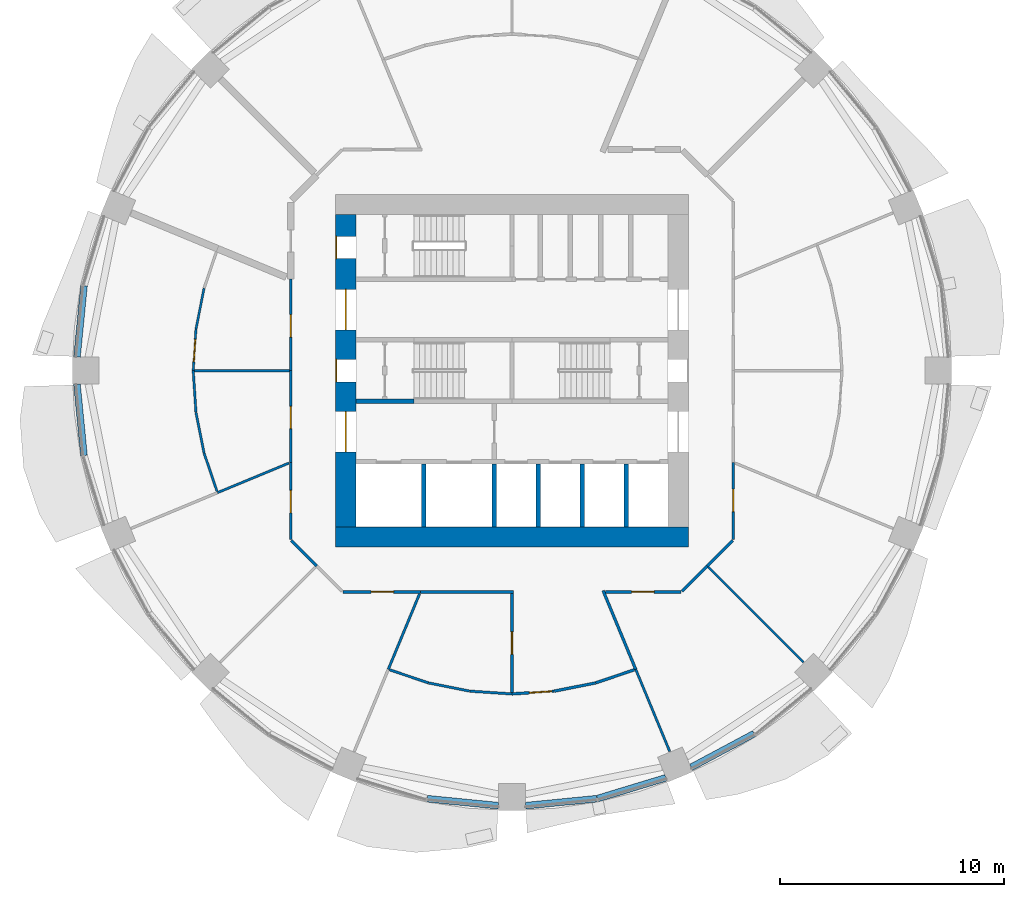
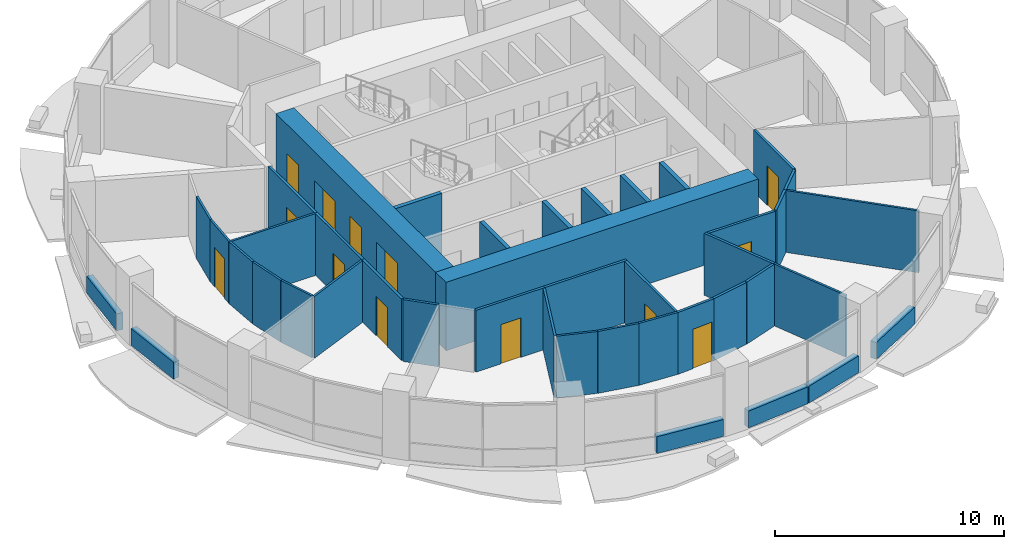
# One storey, part 8 of 15: 42 walls, 13 doors, 13 openings.
"""IFC4 building model written with IfcOpenShell, lengths in metres."""

from ifc_helpers import new_model, si_unit, direction, frame, frame_2d, origin, place, context, subcontext, project, spatial, rectangle, extrude, material, layer, layer_set, type_object, element, fill, save


model = new_model("IFC4")

# Units and contexts
model_context = context("Model", 3, precision=1e-05, world=origin(), true_north=direction((0.0, 1.0)))
body_context = subcontext(model_context, "Body", "Model", "MODEL_VIEW")
ifc_project = project(units=[si_unit("LENGTHUNIT", "METRE"), si_unit("AREAUNIT", "SQUARE_METRE"), si_unit("VOLUMEUNIT", "CUBIC_METRE"), si_unit("PLANEANGLEUNIT", "RADIAN"), si_unit("MASSUNIT", "GRAM", prefix="KILO")], contexts=[model_context])

# Site, building, storey
site_placement = place(None, origin())
site = spatial("IfcSite", under=ifc_project, at=site_placement, CompositionType="ELEMENT")
building_placement = place(site_placement, origin())
building = spatial("IfcBuilding", under=site, at=building_placement, Name="Polderwave Tower", CompositionType="ELEMENT")
storey_placement = place(building_placement, frame((0.0, 0.0, 51.75)))
storey = spatial("IfcBuildingStorey", under=building, at=storey_placement, Name="L13", CompositionType="ELEMENT", Elevation=51.75)

# Wall
ifc_material_1 = material(Name="Concrete C80/95", Category="concrete")
ifc_layer_1 = layer(ifc_material_1, 0.89990234375)
ifc_layer_set_1 = layer_set([ifc_layer_1], Name="CORE WALL 900 C80/95")
wall_type_1 = type_object("IfcWallType", Name="CORE WALL 900 C80/95", PredefinedType="SHEAR", material=ifc_layer_set_1)
wall_1_placement = place(storey_placement, frame((-7.8740234375, -7.424072265625, 0.0), z_axis=(0.0, 0.0, 1.0), x_axis=(1.0, 0.0, 0.0)))
element("IfcWall", 1, at=wall_1_placement, inside=storey, type_object=wall_type_1, Name="ST-CORE-L13-S", PredefinedType="SHEAR", context=body_context, shape_type="SweptSolid", body=[
    extrude(rectangle(XDim=15.748046875, YDim=0.89990234375, at=frame_2d((7.8740234375, 0.0))), origin(), (0.0, 0.0, 1.0), 3.64990234375),
])

# Wall, openings, doors
wall_2_placement = place(storey_placement, frame((-7.424072265625, -6.97412109375, 0.0), z_axis=(0.0, 0.0, 1.0), x_axis=(0.0, 1.0, 0.0)))
wall_2 = element("IfcWall", 2, at=wall_2_placement, inside=storey, type_object=wall_type_1, Name="ST-CORE-L13-W", PredefinedType="SHEAR", context=body_context, shape_type="SweptSolid", body=[
    extrude(rectangle(XDim=13.9482421875, YDim=0.89990234375, at=frame_2d((6.97412109375, 0.0))), origin(), (0.0, 0.0, 1.0), 3.64990234375),
])
opening_1_placement = place(wall_2_placement, frame((6.47412109375, 0.0, 0.0)))
opening_1 = element("IfcOpeningElement", 3, at=opening_1_placement, cuts=wall_2, Name="Opening L13-D19", PredefinedType="OPENING", context=body_context, shape_type="SweptSolid", body=[
    extrude(rectangle(XDim=1.0, YDim=2.10009765625, at=frame_2d((0.5, 1.050048828125))), frame((0.0, 0.4599609375, 0.0), z_axis=(0.0, -1.0, 0.0), x_axis=(1.0, 0.0, 0.0)), (0.0, 0.0, 1.0), 0.919921875),
])
opening_2_placement = place(wall_2_placement, frame((3.349609375, 0.0, 0.0)))
opening_2 = element("IfcOpeningElement", 4, at=opening_2_placement, cuts=wall_2, Name="Opening L13-D20", PredefinedType="OPENING", context=body_context, shape_type="SweptSolid", body=[
    extrude(rectangle(XDim=1.800048828125, YDim=2.10009765625, at=frame_2d((0.89990234375, 1.050048828125))), frame((0.0, 0.4599609375, 0.0), z_axis=(0.0, -1.0, 0.0), x_axis=(1.0, 0.0, 0.0)), (0.0, 0.0, 1.0), 0.919921875),
])
opening_3_placement = place(wall_2_placement, frame((8.798583984375, 0.0, 0.0)))
opening_3 = element("IfcOpeningElement", 5, at=opening_3_placement, cuts=wall_2, Name="Opening L13-D21", PredefinedType="OPENING", context=body_context, shape_type="SweptSolid", body=[
    extrude(rectangle(XDim=1.800048828125, YDim=2.10009765625, at=frame_2d((0.89990234375, 1.050048828125))), frame((0.0, 0.4599609375, 0.0), z_axis=(0.0, -1.0, 0.0), x_axis=(1.0, 0.0, 0.0)), (0.0, 0.0, 1.0), 0.919921875),
])
opening_4_placement = place(wall_2_placement, frame((11.97412109375, 0.0, 0.0)))
opening_4 = element("IfcOpeningElement", 6, at=opening_4_placement, cuts=wall_2, Name="Opening L13-D22", PredefinedType="OPENING", context=body_context, shape_type="SweptSolid", body=[
    extrude(rectangle(XDim=1.0, YDim=2.10009765625, at=frame_2d((0.5, 1.050048828125))), frame((0.0, 0.4599609375, 0.0), z_axis=(0.0, -1.0, 0.0), x_axis=(1.0, 0.0, 0.0)), (0.0, 0.0, 1.0), 0.919921875),
])
ifc_material_2 = material(Name="Steel fire door", Category="steel")
door_type_1 = type_object("IfcDoorType", Name="Lobby entry door pair 1800", OperationType="DOUBLE_DOOR_SINGLE_SWING", PredefinedType="DOOR", material=ifc_material_2)
door_1_placement = place(opening_2_placement, origin())
door_1 = element("IfcDoor", 7, at=door_1_placement, inside=storey, type_object=door_type_1, Name="Fire-fighting lobby entry door", OperationType="DOUBLE_DOOR_SINGLE_SWING", OverallHeight=2.10009765625, OverallWidth=1.800048828125, PredefinedType="DOOR", context=body_context, shape_type="SweptSolid", body=[
    extrude(rectangle(XDim=1.800048828125, YDim=2.10009765625, at=frame_2d((0.89990234375, 1.050048828125))), frame((0.0, 0.02490234375, 0.0), z_axis=(0.0, -1.0, 0.0), x_axis=(1.0, 0.0, 0.0)), (0.0, 0.0, 1.0), 0.050048828125),
])
fill(opening_2, door_1)
door_2_placement = place(opening_3_placement, origin())
door_2 = element("IfcDoor", 8, at=door_2_placement, inside=storey, type_object=door_type_1, Name="North lobby entry door", OperationType="DOUBLE_DOOR_SINGLE_SWING", OverallHeight=2.10009765625, OverallWidth=1.800048828125, PredefinedType="DOOR", context=body_context, shape_type="SweptSolid", body=[
    extrude(rectangle(XDim=1.800048828125, YDim=2.10009765625, at=frame_2d((0.89990234375, 1.050048828125))), frame((0.0, 0.02490234375, 0.0), z_axis=(0.0, -1.0, 0.0), x_axis=(1.0, 0.0, 0.0)), (0.0, 0.0, 1.0), 0.050048828125),
])
fill(opening_3, door_2)
door_type_2 = type_object("IfcDoorType", Name="Stair door 1000", OperationType="NOTDEFINED", PredefinedType="DOOR", material=ifc_material_2)
door_3_placement = place(opening_1_placement, origin())
door_3 = element("IfcDoor", 9, at=door_3_placement, inside=storey, type_object=door_type_2, Name="Stair A entry door", OperationType="SINGLE_SWING_RIGHT", OverallHeight=2.10009765625, OverallWidth=1.0, PredefinedType="DOOR", context=body_context, shape_type="SweptSolid", body=[
    extrude(rectangle(XDim=1.0, YDim=2.10009765625, at=frame_2d((0.5, 1.050048828125))), frame((0.0, 0.4501953125, 0.0), z_axis=(0.0, -1.0, 0.0), x_axis=(1.0, 0.0, 0.0)), (0.0, 0.0, 1.0), 0.050048828125),
])
fill(opening_1, door_3)
door_4_placement = place(opening_4_placement, origin())
door_4 = element("IfcDoor", 10, at=door_4_placement, inside=storey, type_object=door_type_2, Name="Stair C entry door", OperationType="SINGLE_SWING_RIGHT", OverallHeight=2.10009765625, OverallWidth=1.0, PredefinedType="DOOR", context=body_context, shape_type="SweptSolid", body=[
    extrude(rectangle(XDim=1.0, YDim=2.10009765625, at=frame_2d((0.5, 1.050048828125))), frame((0.0, 0.4501953125, 0.0), z_axis=(0.0, -1.0, 0.0), x_axis=(1.0, 0.0, 0.0)), (0.0, 0.0, 1.0), 0.050048828125),
])
fill(opening_4, door_4)

# Walls
ifc_material_3 = material(Name="Concrete C50/60 (board-marked)", Category="concrete")
ifc_layer_2 = layer(ifc_material_3, 0.300048828125)
ifc_layer_set_2 = layer_set([ifc_layer_2], Name="Concrete spandrel upstand C50/60")
wall_type_2 = type_object("IfcWallType", Name="Concrete spandrel upstand C50/60", PredefinedType="SOLIDWALL", material=ifc_layer_set_2)
for number, where, z_axis, x_axis, name in (
    (11, (-19.107421875, 3.78515625, 0.0), (0.0, 0.0, 1.0), (-0.097880808755, -0.995198144732, 0.0), "Spandrel L13 8b"),
    (12, (-19.41943359375, -0.61279296875, 0.0), (0.0, 0.0, 1.0), (0.097880808755, -0.995198144732, 0.0), "Spandrel L13 9a"),
    (13, (-3.78515625, -19.107421875, 0.0), (0.0, 0.0, 1.0), (0.995198144732, -0.097880808755, 0.0), "Spandrel L13 12b"),
    (14, (0.61279296875, -19.41943359375, 0.0), (0.0, 0.0, 1.0), (0.995198144732, 0.097880808755, 0.0), "Spandrel L13 13a"),
):
    element("IfcWall", number, at=place(storey_placement, frame(where, z_axis=z_axis, x_axis=x_axis)), inside=storey, type_object=wall_type_2, Name=name, PredefinedType="SOLIDWALL", context=body_context, shape_type="SweptSolid", body=[
        extrude(rectangle(XDim=3.187744140625, YDim=0.300048828125, at=frame_2d((1.59375, 0.0))), origin(), (0.0, 0.0, 1.0), 0.89990234375),
    ])
wall_3_placement = place(storey_placement, frame((3.814453125, -19.1015625, 0.0), z_axis=(0.0, 0.0, 1.0), x_axis=(0.956849017819, 0.290585541792, 0.0)))
element("IfcWall", 15, at=wall_3_placement, inside=storey, type_object=wall_type_2, Name="Spandrel L13 13b", PredefinedType="SOLIDWALL", context=body_context, shape_type="SweptSolid", body=[
    extrude(rectangle(XDim=3.1875, YDim=0.300048828125, at=frame_2d((1.59375, 0.0))), origin(), (0.0, 0.0, 1.0), 0.89990234375),
])
wall_4_placement = place(storey_placement, frame((7.998291015625, -17.705810546875, 0.0), z_axis=(0.0, 0.0, 1.0), x_axis=(0.881994263934, 0.471260138764, 0.0)))
element("IfcWall", 16, at=wall_4_placement, inside=storey, type_object=wall_type_2, Name="Spandrel L13 14a", PredefinedType="SOLIDWALL", context=body_context, shape_type="SweptSolid", body=[
    extrude(rectangle(XDim=3.1865234375, YDim=0.300048828125, at=frame_2d((1.59326171875, 0.0))), origin(), (0.0, 0.0, 1.0), 0.89990234375),
])
ifc_material_4 = material(Name="Concrete C50/60", Category="concrete")
ifc_layer_3 = layer(ifc_material_4, 0.199951171875)
ifc_layer_set_3 = layer_set([ifc_layer_3], Name="Core web wall 200")
wall_type_3 = type_object("IfcWallType", Name="Core web wall 200", PredefinedType="SHEAR", material=ifc_layer_set_3)
wall_5_placement = place(storey_placement, frame((-6.97412109375, -1.375, 0.0), z_axis=(0.0, 0.0, 1.0), x_axis=(1.0, 0.0, 0.0)))
element("IfcWall", 17, at=wall_5_placement, inside=storey, type_object=wall_type_3, Name="L13 south stair wall 1", PredefinedType="SHEAR", context=body_context, shape_type="SweptSolid", body=[
    extrude(rectangle(XDim=2.60009765625, YDim=0.199951171875, at=frame_2d((1.300048828125, 0.0))), origin(), (0.0, 0.0, 1.0), 3.300048828125),
])
ifc_material_5 = material(Name="Fire-resisting board on steel studs", Category="steel")
ifc_layer_4 = layer(ifc_material_5, 0.125)
ifc_layer_set_4 = layer_set([ifc_layer_4], Name="Corridor wall 125 mm EI 60")
wall_type_4 = type_object("IfcWallType", Name="Corridor wall 125 mm EI 60", PredefinedType="PARTITIONING", material=ifc_layer_set_4)
wall_6_placement = place(storey_placement, frame((9.855712890625, -7.58935546875, 0.0), z_axis=(0.0, 0.0, 1.0), x_axis=(-0.70718294931, -0.707030604857, 0.0)))
element("IfcWall", 18, at=wall_6_placement, inside=storey, type_object=wall_type_4, Name="IN-L13-W004", PredefinedType="PARTITIONING", context=body_context, shape_type="SweptSolid", body=[
    extrude(rectangle(XDim=1.6025390625, YDim=0.125, at=frame_2d((0.80126953125, 0.0))), origin(), (0.0, 0.0, 1.0), 3.300048828125),
])

# Wall, opening, door
wall_7_placement = place(storey_placement, frame((9.8740234375, -4.08984375, 0.0), z_axis=(0.0, 0.0, 1.0), x_axis=(0.0, -1.0, 0.0)))
wall_7 = element("IfcWall", 19, at=wall_7_placement, inside=storey, type_object=wall_type_4, Name="IN-L13-W005", PredefinedType="PARTITIONING", context=body_context, shape_type="SweptSolid", body=[
    extrude(rectangle(XDim=3.455322265625, YDim=0.125, at=frame_2d((1.7275390625, 0.0))), origin(), (0.0, 0.0, 1.0), 3.300048828125),
])
opening_5_placement = place(wall_7_placement, frame((1.199951171875, 0.0, 0.0)))
opening_5 = element("IfcOpeningElement", 20, at=opening_5_placement, cuts=wall_7, Name="Opening L13-D52", PredefinedType="OPENING", context=body_context, shape_type="SweptSolid", body=[
    extrude(rectangle(XDim=1.0, YDim=2.10009765625, at=frame_2d((0.5, 1.050048828125))), frame((0.0, 0.072509765625, 0.0), z_axis=(0.0, -1.0, 0.0), x_axis=(1.0, 0.0, 0.0)), (0.0, 0.0, 1.0), 0.14501953125),
])
ifc_material_6 = material(Name="Timber fire door leaf", Category="wood")
door_type_3 = type_object("IfcDoorType", Name="Fire door FD30S 1000 x 2100", OperationType="NOTDEFINED", PredefinedType="DOOR", material=ifc_material_6)
door_5_placement = place(opening_5_placement, origin())
door_5 = element("IfcDoor", 21, at=door_5_placement, inside=storey, type_object=door_type_3, Name="Door L13-D52", OperationType="SINGLE_SWING_LEFT", OverallHeight=2.10009765625, OverallWidth=1.0, PredefinedType="DOOR", context=body_context, shape_type="SweptSolid", body=[
    extrude(rectangle(XDim=1.0, YDim=2.10009765625, at=frame_2d((0.5, 1.050048828125))), frame((0.0, 0.02490234375, 0.0), z_axis=(0.0, -1.0, 0.0), x_axis=(1.0, 0.0, 0.0)), (0.0, 0.0, 1.0), 0.050048828125),
])
fill(opening_5, door_5)

wall_8_placement = place(storey_placement, frame((-9.8740234375, 0.0, 0.0), z_axis=(0.0, 0.0, 1.0), x_axis=(0.0, 1.0, 0.0)))
wall_8 = element("IfcWall", 22, at=wall_8_placement, inside=storey, type_object=wall_type_4, Name="IN-L13-W013", PredefinedType="PARTITIONING", context=body_context, shape_type="SweptSolid", body=[
    extrude(rectangle(XDim=4.08984375, YDim=0.125, at=frame_2d((2.044921875, 0.0))), origin(), (0.0, 0.0, 1.0), 3.300048828125),
])
opening_6_placement = place(wall_8_placement, frame((1.5, 0.0, 0.0)))
opening_6 = element("IfcOpeningElement", 23, at=opening_6_placement, cuts=wall_8, Name="Opening L13-D57", PredefinedType="OPENING", context=body_context, shape_type="SweptSolid", body=[
    extrude(rectangle(XDim=1.0, YDim=2.10009765625, at=frame_2d((0.5, 1.050048828125))), frame((0.0, 0.072509765625, 0.0), z_axis=(0.0, -1.0, 0.0), x_axis=(1.0, 0.0, 0.0)), (0.0, 0.0, 1.0), 0.14501953125),
])
door_6_placement = place(opening_6_placement, origin())
door_6 = element("IfcDoor", 24, at=door_6_placement, inside=storey, type_object=door_type_3, Name="Door L13-D57", OperationType="SINGLE_SWING_LEFT", OverallHeight=2.10009765625, OverallWidth=1.0, PredefinedType="DOOR", context=body_context, shape_type="SweptSolid", body=[
    extrude(rectangle(XDim=1.0, YDim=2.10009765625, at=frame_2d((0.5, 1.050048828125))), frame((0.0, 0.02490234375, 0.0), z_axis=(0.0, -1.0, 0.0), x_axis=(1.0, 0.0, 0.0)), (0.0, 0.0, 1.0), 0.050048828125),
])
fill(opening_6, door_6)

wall_9_placement = place(storey_placement, frame((-9.8740234375, -4.08984375, 0.0), z_axis=(0.0, 0.0, 1.0), x_axis=(0.0, 1.0, 0.0)))
wall_9 = element("IfcWall", 25, at=wall_9_placement, inside=storey, type_object=wall_type_4, Name="IN-L13-W014", PredefinedType="PARTITIONING", context=body_context, shape_type="SweptSolid", body=[
    extrude(rectangle(XDim=4.08984375, YDim=0.125, at=frame_2d((2.044921875, 0.0))), origin(), (0.0, 0.0, 1.0), 3.300048828125),
])
opening_7_placement = place(wall_9_placement, frame((1.5, 0.0, 0.0)))
opening_7 = element("IfcOpeningElement", 26, at=opening_7_placement, cuts=wall_9, Name="Opening L13-D58", PredefinedType="OPENING", context=body_context, shape_type="SweptSolid", body=[
    extrude(rectangle(XDim=1.0, YDim=2.10009765625, at=frame_2d((0.5, 1.050048828125))), frame((0.0, 0.072509765625, 0.0), z_axis=(0.0, -1.0, 0.0), x_axis=(1.0, 0.0, 0.0)), (0.0, 0.0, 1.0), 0.14501953125),
])
door_7_placement = place(opening_7_placement, origin())
door_7 = element("IfcDoor", 27, at=door_7_placement, inside=storey, type_object=door_type_3, Name="Door L13-D58", OperationType="SINGLE_SWING_LEFT", OverallHeight=2.10009765625, OverallWidth=1.0, PredefinedType="DOOR", context=body_context, shape_type="SweptSolid", body=[
    extrude(rectangle(XDim=1.0, YDim=2.10009765625, at=frame_2d((0.5, 1.050048828125))), frame((0.0, 0.02490234375, 0.0), z_axis=(0.0, -1.0, 0.0), x_axis=(1.0, 0.0, 0.0)), (0.0, 0.0, 1.0), 0.050048828125),
])
fill(opening_7, door_7)

wall_10_placement = place(storey_placement, frame((-9.8740234375, -7.545166015625, 0.0), z_axis=(0.0, 0.0, 1.0), x_axis=(0.0, 1.0, 0.0)))
wall_10 = element("IfcWall", 28, at=wall_10_placement, inside=storey, type_object=wall_type_4, Name="IN-L13-W015", PredefinedType="PARTITIONING", context=body_context, shape_type="SweptSolid", body=[
    extrude(rectangle(XDim=3.455322265625, YDim=0.125, at=frame_2d((1.7275390625, 0.0))), origin(), (0.0, 0.0, 1.0), 3.300048828125),
])
opening_8_placement = place(wall_10_placement, frame((1.199951171875, 0.0, 0.0)))
opening_8 = element("IfcOpeningElement", 29, at=opening_8_placement, cuts=wall_10, Name="Opening L13-D59", PredefinedType="OPENING", context=body_context, shape_type="SweptSolid", body=[
    extrude(rectangle(XDim=1.0, YDim=2.10009765625, at=frame_2d((0.5, 1.050048828125))), frame((0.0, 0.072509765625, 0.0), z_axis=(0.0, -1.0, 0.0), x_axis=(1.0, 0.0, 0.0)), (0.0, 0.0, 1.0), 0.14501953125),
])
door_8_placement = place(opening_8_placement, origin())
door_8 = element("IfcDoor", 30, at=door_8_placement, inside=storey, type_object=door_type_3, Name="Door L13-D59", OperationType="SINGLE_SWING_LEFT", OverallHeight=2.10009765625, OverallWidth=1.0, PredefinedType="DOOR", context=body_context, shape_type="SweptSolid", body=[
    extrude(rectangle(XDim=1.0, YDim=2.10009765625, at=frame_2d((0.5, 1.050048828125))), frame((0.0, 0.02490234375, 0.0), z_axis=(0.0, -1.0, 0.0), x_axis=(1.0, 0.0, 0.0)), (0.0, 0.0, 1.0), 0.050048828125),
])
fill(opening_8, door_8)

# Wall
wall_11_placement = place(storey_placement, frame((-8.722412109375, -8.722412109375, 0.0), z_axis=(0.0, 0.0, 1.0), x_axis=(-0.70718294931, 0.707030604857, 0.0)))
element("IfcWall", 31, at=wall_11_placement, inside=storey, type_object=wall_type_4, Name="IN-L13-W016", PredefinedType="PARTITIONING", context=body_context, shape_type="SweptSolid", body=[
    extrude(rectangle(XDim=1.6025390625, YDim=0.125, at=frame_2d((0.80126953125, 0.0))), origin(), (0.0, 0.0, 1.0), 3.300048828125),
])

# Wall, opening, door
wall_12_placement = place(storey_placement, frame((-4.08984375, -9.8740234375, 0.0), z_axis=(0.0, 0.0, 1.0), x_axis=(-1.0, 0.0, 0.0)))
wall_12 = element("IfcWall", 32, at=wall_12_placement, inside=storey, type_object=wall_type_4, Name="IN-L13-W018", PredefinedType="PARTITIONING", context=body_context, shape_type="SweptSolid", body=[
    extrude(rectangle(XDim=3.455322265625, YDim=0.125, at=frame_2d((1.7275390625, 0.0))), origin(), (0.0, 0.0, 1.0), 3.300048828125),
])
opening_9_placement = place(wall_12_placement, frame((1.199951171875, 0.0, 0.0)))
opening_9 = element("IfcOpeningElement", 33, at=opening_9_placement, cuts=wall_12, Name="Opening L13-D60", PredefinedType="OPENING", context=body_context, shape_type="SweptSolid", body=[
    extrude(rectangle(XDim=1.0, YDim=2.10009765625, at=frame_2d((0.5, 1.050048828125))), frame((0.0, 0.072509765625, 0.0), z_axis=(0.0, -1.0, 0.0), x_axis=(1.0, 0.0, 0.0)), (0.0, 0.0, 1.0), 0.14501953125),
])
door_9_placement = place(opening_9_placement, origin())
door_9 = element("IfcDoor", 34, at=door_9_placement, inside=storey, type_object=door_type_3, Name="Door L13-D60", OperationType="SINGLE_SWING_LEFT", OverallHeight=2.10009765625, OverallWidth=1.0, PredefinedType="DOOR", context=body_context, shape_type="SweptSolid", body=[
    extrude(rectangle(XDim=1.0, YDim=2.10009765625, at=frame_2d((0.5, 1.050048828125))), frame((0.0, 0.02490234375, 0.0), z_axis=(0.0, -1.0, 0.0), x_axis=(1.0, 0.0, 0.0)), (0.0, 0.0, 1.0), 0.050048828125),
])
fill(opening_9, door_9)

# Wall
wall_13_placement = place(storey_placement, frame((0.0625, -9.8740234375, 0.0), z_axis=(0.0, 0.0, 1.0), x_axis=(-1.0, 0.0, 0.0)))
element("IfcWall", 35, at=wall_13_placement, inside=storey, type_object=wall_type_4, Name="IN-L13-W019", PredefinedType="PARTITIONING", context=body_context, shape_type="SweptSolid", body=[
    extrude(rectangle(XDim=4.15234375, YDim=0.125, at=frame_2d((2.076171875, 0.0))), origin(), (0.0, 0.0, 1.0), 3.300048828125),
])

# Wall, opening, door
wall_14_placement = place(storey_placement, frame((7.545166015625, -9.8740234375, 0.0), z_axis=(0.0, 0.0, 1.0), x_axis=(-1.0, 0.0, 0.0)))
wall_14 = element("IfcWall", 36, at=wall_14_placement, inside=storey, type_object=wall_type_4, Name="IN-L13-W020", PredefinedType="PARTITIONING", context=body_context, shape_type="SweptSolid", body=[
    extrude(rectangle(XDim=3.36181640625, YDim=0.125, at=frame_2d((1.680908203125, 0.0))), origin(), (0.0, 0.0, 1.0), 3.300048828125),
])
opening_10_placement = place(wall_14_placement, frame((1.199951171875, 0.0, 0.0)))
opening_10 = element("IfcOpeningElement", 37, at=opening_10_placement, cuts=wall_14, Name="Opening L13-D61", PredefinedType="OPENING", context=body_context, shape_type="SweptSolid", body=[
    extrude(rectangle(XDim=1.0, YDim=2.10009765625, at=frame_2d((0.5, 1.050048828125))), frame((0.0, 0.072509765625, 0.0), z_axis=(0.0, -1.0, 0.0), x_axis=(1.0, 0.0, 0.0)), (0.0, 0.0, 1.0), 0.14501953125),
])
door_10_placement = place(opening_10_placement, origin())
door_10 = element("IfcDoor", 38, at=door_10_placement, inside=storey, type_object=door_type_3, Name="Door L13-D61", OperationType="SINGLE_SWING_RIGHT", OverallHeight=2.10009765625, OverallWidth=1.0, PredefinedType="DOOR", context=body_context, shape_type="SweptSolid", body=[
    extrude(rectangle(XDim=1.0, YDim=2.10009765625, at=frame_2d((0.5, 1.050048828125))), frame((0.0, 0.02490234375, 0.0), z_axis=(0.0, -1.0, 0.0), x_axis=(1.0, 0.0, 0.0)), (0.0, 0.0, 1.0), 0.050048828125),
])
fill(opening_10, door_10)

# Wall
wall_15_placement = place(storey_placement, frame((8.722412109375, -8.722412109375, 0.0), z_axis=(0.0, 0.0, 1.0), x_axis=(-0.707030604857, -0.70718294931, 0.0)))
element("IfcWall", 39, at=wall_15_placement, inside=storey, type_object=wall_type_4, Name="IN-L13-W021", PredefinedType="PARTITIONING", context=body_context, shape_type="SweptSolid", body=[
    extrude(rectangle(XDim=1.6025390625, YDim=0.125, at=frame_2d((0.80126953125, 0.0))), origin(), (0.0, 0.0, 1.0), 3.300048828125),
])

# Wall, opening, door
wall_16_placement = place(storey_placement, frame((0.0, -14.36328125, 0.0), z_axis=(0.0, 0.0, 1.0), x_axis=(0.0, 1.0, 0.0)))
wall_16 = element("IfcWall", 40, at=wall_16_placement, inside=storey, type_object=wall_type_4, Name="IN-L13-W062", PredefinedType="PARTITIONING", context=body_context, shape_type="SweptSolid", body=[
    extrude(rectangle(XDim=4.4267578125, YDim=0.125, at=frame_2d((2.21337890625, 0.0))), origin(), (0.0, 0.0, 1.0), 3.300048828125),
])
opening_11_placement = place(wall_16_placement, frame((1.699951171875, 0.0, 0.0)))
opening_11 = element("IfcOpeningElement", 41, at=opening_11_placement, cuts=wall_16, Name="Opening L13-D66", PredefinedType="OPENING", context=body_context, shape_type="SweptSolid", body=[
    extrude(rectangle(XDim=1.0, YDim=2.10009765625, at=frame_2d((0.5, 1.050048828125))), frame((0.0, 0.072509765625, 0.0), z_axis=(0.0, -1.0, 0.0), x_axis=(1.0, 0.0, 0.0)), (0.0, 0.0, 1.0), 0.14501953125),
])
door_11_placement = place(opening_11_placement, origin())
door_11 = element("IfcDoor", 42, at=door_11_placement, inside=storey, type_object=door_type_3, Name="Door L13-D66", OperationType="SINGLE_SWING_LEFT", OverallHeight=2.10009765625, OverallWidth=1.0, PredefinedType="DOOR", context=body_context, shape_type="SweptSolid", body=[
    extrude(rectangle(XDim=1.0, YDim=2.10009765625, at=frame_2d((0.5, 1.050048828125))), frame((0.0, 0.02490234375, 0.0), z_axis=(0.0, -1.0, 0.0), x_axis=(1.0, 0.0, 0.0)), (0.0, 0.0, 1.0), 0.050048828125),
])
fill(opening_11, door_11)

wall_17_placement = place(storey_placement, frame((1.87939453125, -14.306884765625, 0.0), z_axis=(0.0, 0.0, 1.0), x_axis=(-0.997863603838, -0.065331677882, 0.0)))
wall_17 = element("IfcWall", 43, at=wall_17_placement, inside=storey, type_object=wall_type_4, Name="IN-L13-W063", PredefinedType="PARTITIONING", context=body_context, shape_type="SweptSolid", body=[
    extrude(rectangle(XDim=1.88330078125, YDim=0.125, at=frame_2d((0.941650390625, 0.0))), origin(), (0.0, 0.0, 1.0), 3.300048828125),
])
opening_12_placement = place(wall_17_placement, frame((0.10009765625, 0.0, 0.0)))
opening_12 = element("IfcOpeningElement", 44, at=opening_12_placement, cuts=wall_17, Name="Opening L13-D67", PredefinedType="OPENING", context=body_context, shape_type="SweptSolid", body=[
    extrude(rectangle(XDim=1.0, YDim=2.10009765625, at=frame_2d((0.5, 1.050048828125))), frame((0.0, 0.072509765625, 0.0), z_axis=(0.0, -1.0, 0.0), x_axis=(1.0, 0.0, 0.0)), (0.0, 0.0, 1.0), 0.14501953125),
])
door_12_placement = place(opening_12_placement, origin())
door_12 = element("IfcDoor", 45, at=door_12_placement, inside=storey, type_object=door_type_3, Name="Door L13-D67", OperationType="SINGLE_SWING_LEFT", OverallHeight=2.10009765625, OverallWidth=1.0, PredefinedType="DOOR", context=body_context, shape_type="SweptSolid", body=[
    extrude(rectangle(XDim=1.0, YDim=2.10009765625, at=frame_2d((0.5, 1.050048828125))), frame((0.0, 0.02490234375, 0.0), z_axis=(0.0, -1.0, 0.0), x_axis=(1.0, 0.0, 0.0)), (0.0, 0.0, 1.0), 0.050048828125),
])
fill(opening_12, door_12)

# Walls
wall_18_placement = place(storey_placement, frame((1.887451171875, -14.3056640625, 0.0), z_axis=(0.0, 0.0, 1.0), x_axis=(0.980804871908, 0.194991803011, 0.0)))
element("IfcWall", 46, at=wall_18_placement, inside=storey, type_object=wall_type_4, Name="IN-L13-W064", PredefinedType="PARTITIONING", context=body_context, shape_type="SweptSolid", body=[
    extrude(rectangle(XDim=1.87939453125, YDim=0.125, at=frame_2d((0.939697265625, 0.0))), origin(), (0.0, 0.0, 1.0), 3.300048828125),
])
wall_19_placement = place(storey_placement, frame((3.73876953125, -13.93701171875, 0.0), z_axis=(0.0, 0.0, 1.0), x_axis=(0.946921731465, 0.32146420404, 0.0)))
element("IfcWall", 47, at=wall_19_placement, inside=storey, type_object=wall_type_4, Name="IN-L13-W065", PredefinedType="PARTITIONING", context=body_context, shape_type="SweptSolid", body=[
    extrude(rectangle(XDim=1.816650390625, YDim=0.125, at=frame_2d((0.908203125, 0.0))), origin(), (0.0, 0.0, 1.0), 3.300048828125),
])
wall_20_placement = place(storey_placement, frame((4.06591796875, -9.81640625, 0.0), z_axis=(0.0, 0.0, 1.0), x_axis=(0.382746586719, -0.923853370592, 0.0)))
element("IfcWall", 48, at=wall_20_placement, inside=storey, type_object=wall_type_4, Name="IN-L13-W067", PredefinedType="PARTITIONING", context=body_context, shape_type="SweptSolid", body=[
    extrude(rectangle(XDim=3.804931640625, YDim=0.125, at=frame_2d((1.90234375, 0.0))), origin(), (0.0, 0.0, 1.0), 3.300048828125),
])

# Wall, opening, door
ifc_material_7 = material(Name="Plasterboard on steel studs", Category="steel")
ifc_layer_5 = layer(ifc_material_7, 0.10009765625)
ifc_layer_set_5 = layer_set([ifc_layer_5], Name="Partition 100 mm plasterboard on steel studs")
wall_type_5 = type_object("IfcWallType", Name="Partition 100 mm plasterboard on steel studs", PredefinedType="PARTITIONING", material=ifc_layer_set_5)
wall_21_placement = place(storey_placement, frame((-14.22998046875, 0.0, 0.0), z_axis=(0.0, 0.0, 1.0), x_axis=(0.065437532333, 0.997856667745, 0.0)))
wall_21 = element("IfcWall", 49, at=wall_21_placement, inside=storey, type_object=wall_type_5, Name="IN-L13-W047", PredefinedType="PARTITIONING", context=body_context, shape_type="SweptSolid", body=[
    extrude(rectangle(XDim=1.85791015625, YDim=0.10009765625, at=frame_2d((0.928955078125, 0.0))), origin(), (0.0, 0.0, 1.0), 3.300048828125),
])
opening_13_placement = place(wall_21_placement, frame((0.39990234375, 0.0, 0.0)))
opening_13 = element("IfcOpeningElement", 50, at=opening_13_placement, cuts=wall_21, Name="Opening L13-D65", PredefinedType="OPENING", context=body_context, shape_type="SweptSolid", body=[
    extrude(rectangle(XDim=1.0, YDim=2.10009765625, at=frame_2d((0.5, 1.050048828125))), frame((0.0, 0.06005859375, 0.0), z_axis=(0.0, -1.0, 0.0), x_axis=(1.0, 0.0, 0.0)), (0.0, 0.0, 1.0), 0.1201171875),
])
ifc_material_8 = material(Name="Timber veneer door leaf", Category="wood")
door_type_4 = type_object("IfcDoorType", Name="Single door 1000 x 2100", OperationType="NOTDEFINED", PredefinedType="DOOR", material=ifc_material_8)
door_13_placement = place(opening_13_placement, origin())
door_13 = element("IfcDoor", 51, at=door_13_placement, inside=storey, type_object=door_type_4, Name="Door L13-D65", OperationType="SINGLE_SWING_LEFT", OverallHeight=2.10009765625, OverallWidth=1.0, PredefinedType="DOOR", context=body_context, shape_type="SweptSolid", body=[
    extrude(rectangle(XDim=1.0, YDim=2.10009765625, at=frame_2d((0.5, 1.050048828125))), frame((0.0, 0.02490234375, 0.0), z_axis=(0.0, -1.0, 0.0), x_axis=(1.0, 0.0, 0.0)), (0.0, 0.0, 1.0), 0.050048828125),
])
fill(opening_13, door_13)

# Walls
wall_22_placement = place(storey_placement, frame((-14.107666015625, 1.860595703125, 0.0), z_axis=(0.0, 0.0, 1.0), x_axis=(0.195204777565, 0.980762506836, 0.0)))
element("IfcWall", 52, at=wall_22_placement, inside=storey, type_object=wall_type_5, Name="IN-L13-W048", PredefinedType="PARTITIONING", context=body_context, shape_type="SweptSolid", body=[
    extrude(rectangle(XDim=1.854736328125, YDim=0.10009765625, at=frame_2d((0.92724609375, 0.0))), origin(), (0.0, 0.0, 1.0), 3.300048828125),
])
ifc_material_9 = material(Name="Moisture-resistant board on steel studs, tiled", Category="steel")
ifc_layer_6 = layer(ifc_material_9, 0.10498046875)
ifc_layer_set_6 = layer_set([ifc_layer_6], Name="Partition 105 mm wet room board and tile")
wall_type_6 = type_object("IfcWallType", Name="Partition 105 mm wet room board and tile", PredefinedType="PARTITIONING", material=ifc_layer_set_6)
wall_23_placement = place(storey_placement, frame((-9.9365234375, 0.0, 0.0), z_axis=(0.0, 0.0, 1.0), x_axis=(-1.0, 0.0, 0.0)))
element("IfcWall", 53, at=wall_23_placement, inside=storey, type_object=wall_type_6, Name="IN-L13-W050", PredefinedType="PARTITIONING", context=body_context, shape_type="SweptSolid", body=[
    extrude(rectangle(XDim=4.2373046875, YDim=0.10498046875, at=frame_2d((2.11865234375, 0.0))), origin(), (0.0, 0.0, 1.0), 3.300048828125),
])
wall_24_placement = place(storey_placement, frame((-14.22998046875, 0.0, 0.0), z_axis=(0.0, 0.0, 1.0), x_axis=(0.065437532333, -0.997856667745, 0.0)))
element("IfcWall", 54, at=wall_24_placement, inside=storey, type_object=wall_type_6, Name="IN-L13-W051", PredefinedType="PARTITIONING", context=body_context, shape_type="SweptSolid", body=[
    extrude(rectangle(XDim=1.85791015625, YDim=0.10498046875, at=frame_2d((0.928955078125, 0.0))), origin(), (0.0, 0.0, 1.0), 3.300048828125),
])
wall_25_placement = place(storey_placement, frame((-14.107666015625, -1.86083984375, 0.0), z_axis=(0.0, 0.0, 1.0), x_axis=(0.195103348377, -0.980782689209, 0.0)))
element("IfcWall", 55, at=wall_25_placement, inside=storey, type_object=wall_type_6, Name="IN-L13-W052", PredefinedType="PARTITIONING", context=body_context, shape_type="SweptSolid", body=[
    extrude(rectangle(XDim=1.8544921875, YDim=0.10498046875, at=frame_2d((0.92724609375, 0.0))), origin(), (0.0, 0.0, 1.0), 3.300048828125),
])
wall_26_placement = place(storey_placement, frame((-13.743896484375, -3.686279296875, 0.0), z_axis=(0.0, 0.0, 1.0), x_axis=(0.321433227273, -0.946932246998, 0.0)))
element("IfcWall", 56, at=wall_26_placement, inside=storey, type_object=wall_type_6, Name="IN-L13-W053", PredefinedType="PARTITIONING", context=body_context, shape_type="SweptSolid", body=[
    extrude(rectangle(XDim=1.79931640625, YDim=0.10498046875, at=frame_2d((0.899658203125, 0.0))), origin(), (0.0, 0.0, 1.0), 3.300048828125),
])
wall_27_placement = place(storey_placement, frame((-9.95654296875, -4.1240234375, 0.0), z_axis=(0.0, 0.0, 1.0), x_axis=(-0.923867748948, -0.382711879165, 0.0)))
element("IfcWall", 57, at=wall_27_placement, inside=storey, type_object=wall_type_6, Name="IN-L13-W055", PredefinedType="PARTITIONING", context=body_context, shape_type="SweptSolid", body=[
    extrude(rectangle(XDim=3.453125, YDim=0.10498046875, at=frame_2d((1.7265625, 0.0))), origin(), (0.0, 0.0, 1.0), 3.300048828125),
])
wall_28_placement = place(storey_placement, frame((5.522216796875, -13.33154296875, 0.0), z_axis=(0.0, 0.0, 1.0), x_axis=(0.382675844596, -0.923882675432, 0.0)))
element("IfcWall", 58, at=wall_28_placement, inside=storey, type_object=wall_type_6, Name="IN-L13-W066", PredefinedType="PARTITIONING", context=body_context, shape_type="SweptSolid", body=[
    extrude(rectangle(XDim=3.97021484375, YDim=0.10498046875, at=frame_2d((1.985107421875, 0.0))), origin(), (0.0, 0.0, 1.0), 3.300048828125),
])
wall_29_placement = place(storey_placement, frame((8.7666015625, -8.7666015625, 0.0), z_axis=(0.0, 0.0, 1.0), x_axis=(0.707106781187, -0.707106781187, 0.0)))
element("IfcWall", 59, at=wall_29_placement, inside=storey, type_object=wall_type_6, Name="IN-L13-W068", PredefinedType="PARTITIONING", context=body_context, shape_type="SweptSolid", body=[
    extrude(rectangle(XDim=6.002197265625, YDim=0.10498046875, at=frame_2d((3.0009765625, 0.0))), origin(), (0.0, 0.0, 1.0), 3.300048828125),
])
ifc_material_10 = material(Name="Acoustic double plasterboard on steel studs", Category="steel")
ifc_layer_7 = layer(ifc_material_10, 0.110107421875)
ifc_layer_set_7 = layer_set([ifc_layer_7], Name="Partition 110 mm acoustic double board")
wall_type_7 = type_object("IfcWallType", Name="Partition 110 mm acoustic double board", PredefinedType="PARTITIONING", material=ifc_layer_set_7)
wall_30_placement = place(storey_placement, frame((-4.12451171875, -9.95751953125, 0.0), z_axis=(0.0, 0.0, 1.0), x_axis=(-0.382715874613, -0.923866093825, 0.0)))
element("IfcWall", 60, at=wall_30_placement, inside=storey, type_object=wall_type_7, Name="IN-L13-W057", PredefinedType="PARTITIONING", context=body_context, shape_type="SweptSolid", body=[
    extrude(rectangle(XDim=3.652099609375, YDim=0.110107421875, at=frame_2d((1.826171875, 0.0))), origin(), (0.0, 0.0, 1.0), 3.300048828125),
])
wall_31_placement = place(storey_placement, frame((-3.73828125, -13.93701171875, 0.0), z_axis=(0.0, 0.0, 1.0), x_axis=(-0.94697070508, 0.321319908688, 0.0)))
element("IfcWall", 61, at=wall_31_placement, inside=storey, type_object=wall_type_7, Name="IN-L13-W059", PredefinedType="PARTITIONING", context=body_context, shape_type="SweptSolid", body=[
    extrude(rectangle(XDim=1.824951171875, YDim=0.110107421875, at=frame_2d((0.91259765625, 0.0))), origin(), (0.0, 0.0, 1.0), 3.300048828125),
])
wall_32_placement = place(storey_placement, frame((-1.886962890625, -14.305908203125, 0.0), z_axis=(0.0, 0.0, 1.0), x_axis=(-0.980774944963, 0.195142274593, 0.0)))
element("IfcWall", 62, at=wall_32_placement, inside=storey, type_object=wall_type_7, Name="IN-L13-W060", PredefinedType="PARTITIONING", context=body_context, shape_type="SweptSolid", body=[
    extrude(rectangle(XDim=1.88037109375, YDim=0.110107421875, at=frame_2d((0.940185546875, 0.0))), origin(), (0.0, 0.0, 1.0), 3.300048828125),
])
wall_33_placement = place(storey_placement, frame((0.0, -14.429931640625, 0.0), z_axis=(0.0, 0.0, 1.0), x_axis=(-0.997856255434, 0.06544381935, 0.0)))
element("IfcWall", 63, at=wall_33_placement, inside=storey, type_object=wall_type_7, Name="IN-L13-W061", PredefinedType="PARTITIONING", context=body_context, shape_type="SweptSolid", body=[
    extrude(rectangle(XDim=1.884033203125, YDim=0.110107421875, at=frame_2d((0.94189453125, 0.0))), origin(), (0.0, 0.0, 1.0), 3.300048828125),
])
ifc_material_11 = material(Name="Gypsum shaft wall system")
ifc_layer_8 = layer(ifc_material_11, 0.199951171875)
ifc_layer_set_8 = layer_set([ifc_layer_8], Name="Shaft wall 200")
wall_type_8 = type_object("IfcWallType", Name="Shaft wall 200", PredefinedType="PARTITIONING", material=ifc_layer_set_8)
for number, where, z_axis, x_axis, name in (
    (64, (-3.93701171875, -6.97412109375, 0.0), (0.0, 0.0, 1.0), (0.0, 1.0, 0.0), "L13 fire-fighting shaft wall 1"),
    (65, (-0.800048828125, -6.97412109375, 0.0), (0.0, 0.0, 1.0), (0.0, 1.0, 0.0), "L13 fire-fighting shaft wall 2"),
    (66, (1.16845703125, -6.97412109375, 0.0), (0.0, 0.0, 1.0), (0.0, 1.0, 0.0), "L13 lift shaft wall 1"),
    (67, (3.136962890625, -6.97412109375, 0.0), (0.0, 0.0, 1.0), (0.0, 1.0, 0.0), "L13 lift shaft wall 2"),
    (68, (5.10546875, -6.97412109375, 0.0), (0.0, 0.0, 1.0), (0.0, 1.0, 0.0), "L13 lift shaft wall 3"),
):
    element("IfcWall", number, at=place(storey_placement, frame(where, z_axis=z_axis, x_axis=x_axis)), inside=storey, type_object=wall_type_8, Name=name, PredefinedType="PARTITIONING", context=body_context, shape_type="SweptSolid", body=[
        extrude(rectangle(XDim=2.800048828125, YDim=0.199951171875, at=frame_2d((1.39990234375, 0.0))), origin(), (0.0, 0.0, 1.0), 3.300048828125),
    ])

save(model, "model.ifc")
